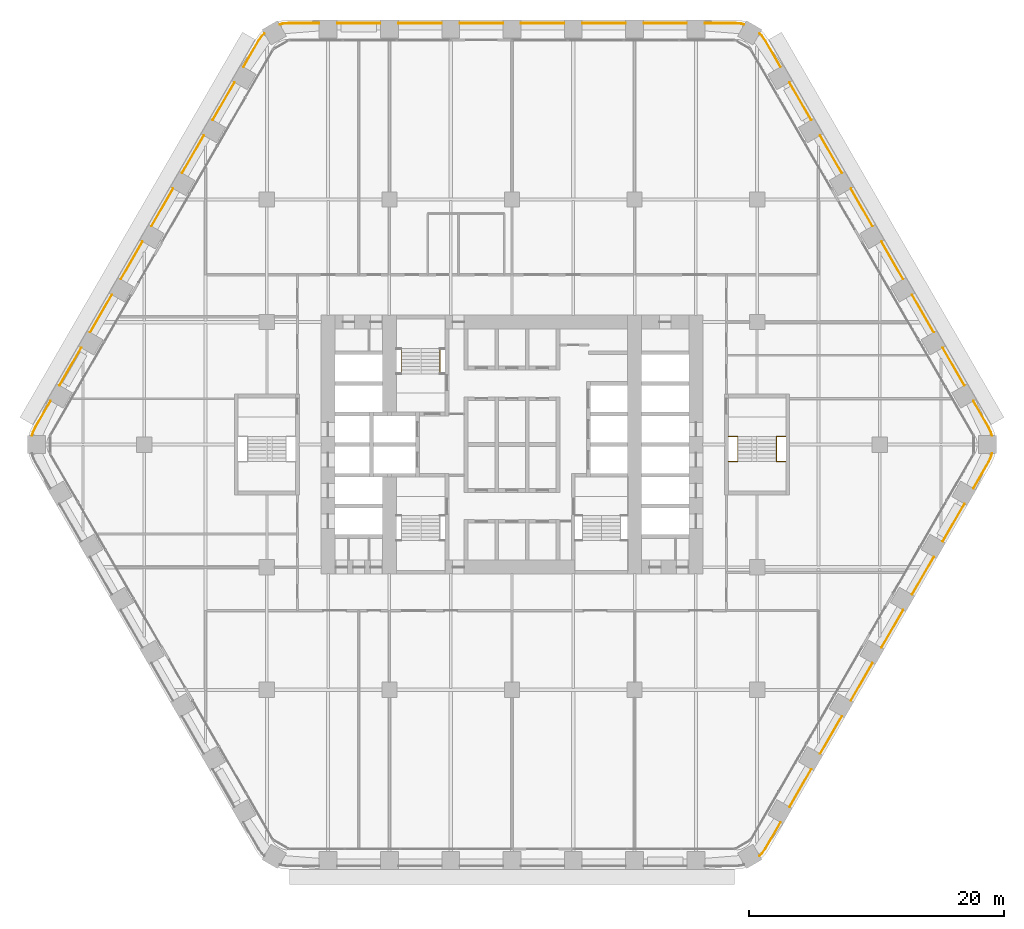
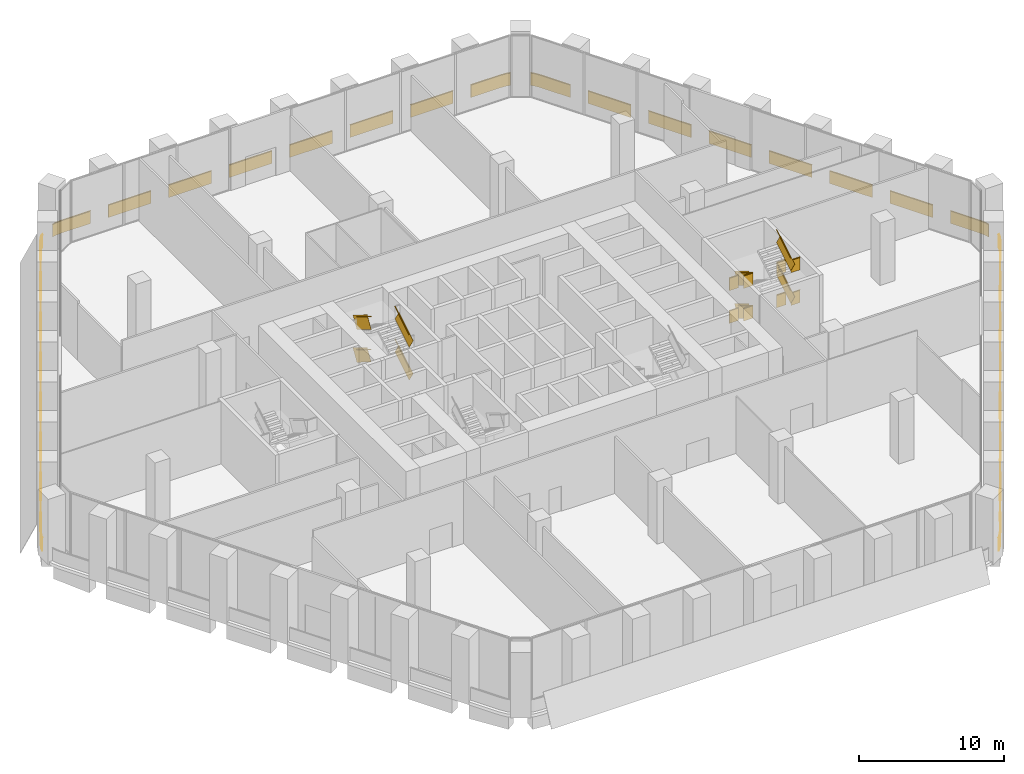
# One storey, part 27 of 27: 7 railings.
"""IFC4 building model written with IfcOpenShell, lengths in metres."""

from ifc_helpers import new_model, si_unit, direction, frame, frame_2d, origin, origin_2d, place, context, subcontext, project, spatial, rectangle, extrude, material, type_object, element, save


model = new_model("IFC4")

# Units and contexts
model_context = context("Model", 3, precision=1e-05, world=origin(), true_north=direction((0.0, 1.0)))
body_context = subcontext(model_context, "Body", "Model", "MODEL_VIEW")
ifc_project = project(units=[si_unit("LENGTHUNIT", "METRE"), si_unit("AREAUNIT", "SQUARE_METRE"), si_unit("VOLUMEUNIT", "CUBIC_METRE"), si_unit("PLANEANGLEUNIT", "RADIAN"), si_unit("MASSUNIT", "GRAM", prefix="KILO")], contexts=[model_context])

# Site, building, storey
site_placement = place(None, origin())
site = spatial("IfcSite", under=ifc_project, at=site_placement, CompositionType="ELEMENT")
building_placement = place(site_placement, origin())
building = spatial("IfcBuilding", under=site, at=building_placement, Name="Kolab Exchange Tower", CompositionType="ELEMENT")
storey_placement = place(building_placement, frame((0.0, 0.0, 44.39990234375)))
storey = spatial("IfcBuildingStorey", under=building, at=storey_placement, Name="L08", CompositionType="ELEMENT", Elevation=44.39990234375)

# Railings
ifc_material_1 = material(Name="Stainless steel 316", Category="steel")
railing_type_1 = type_object("IfcRailingType", Name="GUARD 1100", PredefinedType="GUARDRAIL", material=ifc_material_1)
railing_1_placement = place(storey_placement, frame((-5.639892578125, 5.550048828125, 0.172119140625)))
element("IfcRailing", 1, at=railing_1_placement, inside=storey, type_object=railing_type_1, Name="Handrail guard ST1", PredefinedType="GUARDRAIL", context=body_context, shape_type="SweptSolid", body=[
    extrude(rectangle(XDim=0.05, YDim=0.05, at=origin_2d()), frame((0.0, 0.0, 1.0751953125), z_axis=(0.0, 0.852288308005, 0.523072308613), x_axis=(-1.0, 0.0, 0.0)), (0.0, 0.0, 1.0), 2.299560546875),
    extrude(rectangle(XDim=0.012, YDim=1.05009765625, at=frame_2d((0.0, 0.525146484375))), frame((0.0, 0.0, 0.0), z_axis=(0.0, 0.852288308005, 0.523072308613), x_axis=(-1.0, 0.0, 0.0)), (0.0, 0.0, 1.0), 2.299560546875),
    extrude(rectangle(XDim=0.05, YDim=0.05, at=origin_2d()), frame((-3.02001953125, 1.9599609375, 2.4501953125), z_axis=(0.0, -0.852288308005, 0.523072308613), x_axis=(1.0, 0.0, 0.0)), (0.0, 0.0, 1.0), 2.299560546875),
    extrude(rectangle(XDim=0.012, YDim=1.05009765625, at=frame_2d((0.0, 0.525146484375))), frame((-3.02001953125, 1.9599609375, 1.375), z_axis=(0.0, -0.852288308005, 0.523072308613), x_axis=(1.0, 0.0, 0.0)), (0.0, 0.0, 1.0), 2.299560546875),
    extrude(rectangle(XDim=0.05, YDim=0.05, at=origin_2d()), frame((0.0, 0.0, 3.8251953125), z_axis=(0.0, 0.852288308005, 0.523072308613), x_axis=(-1.0, 0.0, 0.0)), (0.0, 0.0, 1.0), 2.299560546875),
    extrude(rectangle(XDim=0.012, YDim=1.05009765625, at=frame_2d((0.0, 0.525146484375))), frame((0.0, 0.0, 2.75), z_axis=(0.0, 0.852288308005, 0.523072308613), x_axis=(-1.0, 0.0, 0.0)), (0.0, 0.0, 1.0), 2.299560546875),
    extrude(rectangle(XDim=0.05, YDim=0.05, at=origin_2d()), frame((-3.02001953125, 1.9599609375, 5.2001953125), z_axis=(0.0, -0.852288308005, 0.523072308613), x_axis=(1.0, 0.0, 0.0)), (0.0, 0.0, 1.0), 2.299560546875),
    extrude(rectangle(XDim=0.012, YDim=1.05009765625, at=frame_2d((0.0, 0.525146484375))), frame((-3.02001953125, 1.9599609375, 4.125), z_axis=(0.0, -0.852288308005, 0.523072308613), x_axis=(1.0, 0.0, 0.0)), (0.0, 0.0, 1.0), 2.299560546875),
])
railing_2_placement = place(storey_placement, frame((16.949951171875, 0.64990234375, 0.0)))
element("IfcRailing", 2, at=railing_2_placement, inside=storey, type_object=railing_type_1, Name="Guard ST4", PredefinedType="GUARDRAIL", context=body_context, shape_type="SweptSolid", body=[
    extrude(rectangle(XDim=0.05, YDim=0.05, at=origin_2d()), frame((0.0, 0.0, 1.0751953125), z_axis=(1.0, 0.0, 0.0), x_axis=(0.0, 1.0, 0.0)), (0.0, 0.0, 1.0), 0.739990234375),
    extrude(rectangle(XDim=0.012, YDim=1.05009765625, at=frame_2d((0.0, 0.525146484375))), frame((0.0, 0.0, 0.0), z_axis=(1.0, 0.0, 0.0), x_axis=(0.0, 1.0, 0.0)), (0.0, 0.0, 1.0), 0.739990234375),
    extrude(rectangle(XDim=0.05, YDim=0.05, at=origin_2d()), frame((3.760009765625, 0.0, 1.0751953125), z_axis=(1.0, 0.0, 0.0), x_axis=(0.0, 1.0, 0.0)), (0.0, 0.0, 1.0), 0.739990234375),
    extrude(rectangle(XDim=0.012, YDim=1.05009765625, at=frame_2d((0.0, 0.525146484375))), frame((3.760009765625, 0.0, 0.0), z_axis=(1.0, 0.0, 0.0), x_axis=(0.0, 1.0, 0.0)), (0.0, 0.0, 1.0), 0.739990234375),
    extrude(rectangle(XDim=0.05, YDim=0.05, at=origin_2d()), frame((0.0, -1.9599609375, 2.4501953125), z_axis=(1.0, 0.0, 0.0), x_axis=(0.0, 1.0, 0.0)), (0.0, 0.0, 1.0), 0.739990234375),
    extrude(rectangle(XDim=0.012, YDim=1.05009765625, at=frame_2d((0.0, 0.525146484375))), frame((0.0, -1.9599609375, 1.375), z_axis=(1.0, 0.0, 0.0), x_axis=(0.0, 1.0, 0.0)), (0.0, 0.0, 1.0), 0.739990234375),
    extrude(rectangle(XDim=0.05, YDim=0.05, at=origin_2d()), frame((3.760009765625, -1.9599609375, 2.4501953125), z_axis=(1.0, 0.0, 0.0), x_axis=(0.0, 1.0, 0.0)), (0.0, 0.0, 1.0), 0.739990234375),
    extrude(rectangle(XDim=0.012, YDim=1.05009765625, at=frame_2d((0.0, 0.525146484375))), frame((3.760009765625, -1.9599609375, 1.375), z_axis=(1.0, 0.0, 0.0), x_axis=(0.0, 1.0, 0.0)), (0.0, 0.0, 1.0), 0.739990234375),
    extrude(rectangle(XDim=0.05, YDim=0.05, at=origin_2d()), frame((0.0, 0.0, 3.8251953125), z_axis=(1.0, 0.0, 0.0), x_axis=(0.0, 1.0, 0.0)), (0.0, 0.0, 1.0), 0.739990234375),
    extrude(rectangle(XDim=0.012, YDim=1.05009765625, at=frame_2d((0.0, 0.525146484375))), frame((0.0, 0.0, 2.75), z_axis=(1.0, 0.0, 0.0), x_axis=(0.0, 1.0, 0.0)), (0.0, 0.0, 1.0), 0.739990234375),
    extrude(rectangle(XDim=0.05, YDim=0.05, at=origin_2d()), frame((3.760009765625, 0.0, 3.8251953125), z_axis=(1.0, 0.0, 0.0), x_axis=(0.0, 1.0, 0.0)), (0.0, 0.0, 1.0), 0.739990234375),
    extrude(rectangle(XDim=0.012, YDim=1.05009765625, at=frame_2d((0.0, 0.525146484375))), frame((3.760009765625, 0.0, 2.75), z_axis=(1.0, 0.0, 0.0), x_axis=(0.0, 1.0, 0.0)), (0.0, 0.0, 1.0), 0.739990234375),
    extrude(rectangle(XDim=0.05, YDim=0.05, at=origin_2d()), frame((0.0, -1.9599609375, 5.2001953125), z_axis=(1.0, 0.0, 0.0), x_axis=(0.0, 1.0, 0.0)), (0.0, 0.0, 1.0), 0.739990234375),
    extrude(rectangle(XDim=0.012, YDim=1.05009765625, at=frame_2d((0.0, 0.525146484375))), frame((0.0, -1.9599609375, 4.125), z_axis=(1.0, 0.0, 0.0), x_axis=(0.0, 1.0, 0.0)), (0.0, 0.0, 1.0), 0.739990234375),
    extrude(rectangle(XDim=0.05, YDim=0.05, at=origin_2d()), frame((3.760009765625, -1.9599609375, 5.2001953125), z_axis=(1.0, 0.0, 0.0), x_axis=(0.0, 1.0, 0.0)), (0.0, 0.0, 1.0), 0.739990234375),
    extrude(rectangle(XDim=0.012, YDim=1.05009765625, at=frame_2d((0.0, 0.525146484375))), frame((3.760009765625, -1.9599609375, 4.125), z_axis=(1.0, 0.0, 0.0), x_axis=(0.0, 1.0, 0.0)), (0.0, 0.0, 1.0), 0.739990234375),
])
railing_3_placement = place(storey_placement, frame((17.68994140625, 0.64990234375, 0.172119140625)))
element("IfcRailing", 3, at=railing_3_placement, inside=storey, type_object=railing_type_1, Name="Handrail guard ST4", PredefinedType="GUARDRAIL", context=body_context, shape_type="SweptSolid", body=[
    extrude(rectangle(XDim=0.05, YDim=0.05, at=origin_2d()), frame((0.0, 0.0, 1.0751953125), z_axis=(0.0, -0.852288308005, 0.523072308613), x_axis=(1.0, 0.0, 0.0)), (0.0, 0.0, 1.0), 2.299560546875),
    extrude(rectangle(XDim=0.012, YDim=1.05009765625, at=frame_2d((0.0, 0.525146484375))), frame((0.0, 0.0, 0.0), z_axis=(0.0, -0.852288308005, 0.523072308613), x_axis=(1.0, 0.0, 0.0)), (0.0, 0.0, 1.0), 2.299560546875),
    extrude(rectangle(XDim=0.05, YDim=0.05, at=origin_2d()), frame((3.02001953125, -1.9599609375, 2.4501953125), z_axis=(0.0, 0.852288308005, 0.523072308613), x_axis=(-1.0, 0.0, 0.0)), (0.0, 0.0, 1.0), 2.299560546875),
    extrude(rectangle(XDim=0.012, YDim=1.05009765625, at=frame_2d((0.0, 0.525146484375))), frame((3.02001953125, -1.9599609375, 1.375), z_axis=(0.0, 0.852288308005, 0.523072308613), x_axis=(-1.0, 0.0, 0.0)), (0.0, 0.0, 1.0), 2.299560546875),
    extrude(rectangle(XDim=0.05, YDim=0.05, at=origin_2d()), frame((0.0, 0.0, 3.8251953125), z_axis=(0.0, -0.852288308005, 0.523072308613), x_axis=(1.0, 0.0, 0.0)), (0.0, 0.0, 1.0), 2.299560546875),
    extrude(rectangle(XDim=0.012, YDim=1.05009765625, at=frame_2d((0.0, 0.525146484375))), frame((0.0, 0.0, 2.75), z_axis=(0.0, -0.852288308005, 0.523072308613), x_axis=(1.0, 0.0, 0.0)), (0.0, 0.0, 1.0), 2.299560546875),
    extrude(rectangle(XDim=0.05, YDim=0.05, at=origin_2d()), frame((3.02001953125, -1.9599609375, 5.2001953125), z_axis=(0.0, 0.852288308005, 0.523072308613), x_axis=(-1.0, 0.0, 0.0)), (0.0, 0.0, 1.0), 2.299560546875),
    extrude(rectangle(XDim=0.012, YDim=1.05009765625, at=frame_2d((0.0, 0.525146484375))), frame((3.02001953125, -1.9599609375, 4.125), z_axis=(0.0, 0.852288308005, 0.523072308613), x_axis=(-1.0, 0.0, 0.0)), (0.0, 0.0, 1.0), 2.299560546875),
])
ifc_material_2 = material(Name="Steel S235", Category="steel")
railing_type_2 = type_object("IfcRailingType", Name="GUARD 1100 GLASS BALUSTRADE AND STEEL TOP RAIL", PredefinedType="GUARDRAIL", material=ifc_material_2)
railing_4_placement = place(storey_placement, frame((18.1953125, 32.896728515625, 0.0)))
element("IfcRailing", 4, at=railing_4_placement, inside=storey, type_object=railing_type_2, Name="Guard", PredefinedType="GUARDRAIL", context=body_context, shape_type="SweptSolid", body=[
    extrude(rectangle(XDim=0.05, YDim=0.05, at=origin_2d()), frame((0.0, 0.0, 1.0751953125), z_axis=(-0.965952265455, 0.258720352624, 0.0), x_axis=(-0.258720352624, -0.965952265455, 0.0)), (0.0, 0.0, 1.0), 0.258544921875),
    extrude(rectangle(XDim=0.012, YDim=1.05009765625, at=frame_2d((0.0, 0.525146484375))), frame((0.0, 0.0, 0.0), z_axis=(-0.965952265455, 0.258720352624, 0.0), x_axis=(-0.258720352624, -0.965952265455, 0.0)), (0.0, 0.0, 1.0), 0.258544921875),
    extrude(rectangle(XDim=0.05, YDim=0.05, at=origin_2d()), frame((-0.249755859375, 0.06689453125, 1.0751953125), z_axis=(-0.996200348447, 0.087091134757, 0.0), x_axis=(-0.087091134757, -0.996200348447, 0.0)), (0.0, 0.0, 1.0), 0.479248046875),
    extrude(rectangle(XDim=0.012, YDim=1.05009765625, at=frame_2d((0.0, 0.525146484375))), frame((-0.249755859375, 0.06689453125, 0.0), z_axis=(-0.996200348447, 0.087091134757, 0.0), x_axis=(-0.087091134757, -0.996200348447, 0.0)), (0.0, 0.0, 1.0), 0.479248046875),
    extrude(rectangle(XDim=0.05, YDim=0.05, at=origin_2d()), frame((-0.727294921875, 0.108642578125, 1.0751953125), z_axis=(-1.0, 0.0, 0.0), x_axis=(0.0, -1.0, 0.0)), (0.0, 0.0, 1.0), 2.367919921875),
    extrude(rectangle(XDim=0.012, YDim=1.05009765625, at=frame_2d((0.0, 0.525146484375))), frame((-0.727294921875, 0.108642578125, 0.0), z_axis=(-1.0, 0.0, 0.0), x_axis=(0.0, -1.0, 0.0)), (0.0, 0.0, 1.0), 2.367919921875),
    extrude(rectangle(XDim=0.05, YDim=0.05, at=origin_2d()), frame((-4.495361328125, 0.108642578125, 1.0751953125), z_axis=(-1.0, 0.0, 0.0), x_axis=(0.0, -1.0, 0.0)), (0.0, 0.0, 1.0), 3.39990234375),
    extrude(rectangle(XDim=0.012, YDim=1.05009765625, at=frame_2d((0.0, 0.525146484375))), frame((-4.495361328125, 0.108642578125, 0.0), z_axis=(-1.0, 0.0, 0.0), x_axis=(0.0, -1.0, 0.0)), (0.0, 0.0, 1.0), 3.39990234375),
    extrude(rectangle(XDim=0.05, YDim=0.05, at=origin_2d()), frame((-9.29541015625, 0.108642578125, 1.0751953125), z_axis=(-1.0, 0.0, 0.0), x_axis=(0.0, -1.0, 0.0)), (0.0, 0.0, 1.0), 3.39990234375),
    extrude(rectangle(XDim=0.012, YDim=1.05009765625, at=frame_2d((0.0, 0.525146484375))), frame((-9.29541015625, 0.108642578125, 0.0), z_axis=(-1.0, 0.0, 0.0), x_axis=(0.0, -1.0, 0.0)), (0.0, 0.0, 1.0), 3.39990234375),
    extrude(rectangle(XDim=0.05, YDim=0.05, at=origin_2d()), frame((-14.09521484375, 0.108642578125, 1.0751953125), z_axis=(-1.0, 0.0, 0.0), x_axis=(0.0, -1.0, 0.0)), (0.0, 0.0, 1.0), 3.400146484375),
    extrude(rectangle(XDim=0.012, YDim=1.05009765625, at=frame_2d((0.0, 0.525146484375))), frame((-14.09521484375, 0.108642578125, 0.0), z_axis=(-1.0, 0.0, 0.0), x_axis=(0.0, -1.0, 0.0)), (0.0, 0.0, 1.0), 3.400146484375),
    extrude(rectangle(XDim=0.05, YDim=0.05, at=origin_2d()), frame((-18.895263671875, 0.108642578125, 1.0751953125), z_axis=(-1.0, 0.0, 0.0), x_axis=(0.0, -1.0, 0.0)), (0.0, 0.0, 1.0), 3.400146484375),
    extrude(rectangle(XDim=0.012, YDim=1.05009765625, at=frame_2d((0.0, 0.525146484375))), frame((-18.895263671875, 0.108642578125, 0.0), z_axis=(-1.0, 0.0, 0.0), x_axis=(0.0, -1.0, 0.0)), (0.0, 0.0, 1.0), 3.400146484375),
    extrude(rectangle(XDim=0.05, YDim=0.05, at=origin_2d()), frame((-23.6953125, 0.108642578125, 1.0751953125), z_axis=(-1.0, 0.0, 0.0), x_axis=(0.0, -1.0, 0.0)), (0.0, 0.0, 1.0), 3.39990234375),
    extrude(rectangle(XDim=0.012, YDim=1.05009765625, at=frame_2d((0.0, 0.525146484375))), frame((-23.6953125, 0.108642578125, 0.0), z_axis=(-1.0, 0.0, 0.0), x_axis=(0.0, -1.0, 0.0)), (0.0, 0.0, 1.0), 3.39990234375),
    extrude(rectangle(XDim=0.05, YDim=0.05, at=origin_2d()), frame((-28.495361328125, 0.108642578125, 1.0751953125), z_axis=(-1.0, 0.0, 0.0), x_axis=(0.0, -1.0, 0.0)), (0.0, 0.0, 1.0), 3.39990234375),
    extrude(rectangle(XDim=0.012, YDim=1.05009765625, at=frame_2d((0.0, 0.525146484375))), frame((-28.495361328125, 0.108642578125, 0.0), z_axis=(-1.0, 0.0, 0.0), x_axis=(0.0, -1.0, 0.0)), (0.0, 0.0, 1.0), 3.39990234375),
    extrude(rectangle(XDim=0.05, YDim=0.05, at=origin_2d()), frame((-33.29541015625, 0.108642578125, 1.0751953125), z_axis=(-1.0, 0.0, 0.0), x_axis=(0.0, -1.0, 0.0)), (0.0, 0.0, 1.0), 2.367919921875),
    extrude(rectangle(XDim=0.012, YDim=1.05009765625, at=frame_2d((0.0, 0.525146484375))), frame((-33.29541015625, 0.108642578125, 0.0), z_axis=(-1.0, 0.0, 0.0), x_axis=(0.0, -1.0, 0.0)), (0.0, 0.0, 1.0), 2.367919921875),
    extrude(rectangle(XDim=0.05, YDim=0.05, at=origin_2d()), frame((-35.663330078125, 0.108642578125, 1.0751953125), z_axis=(-0.996200348447, -0.087091134757, 0.0), x_axis=(0.087091134757, -0.996200348447, 0.0)), (0.0, 0.0, 1.0), 0.479248046875),
    extrude(rectangle(XDim=0.012, YDim=1.05009765625, at=frame_2d((0.0, 0.525146484375))), frame((-35.663330078125, 0.108642578125, 0.0), z_axis=(-0.996200348447, -0.087091134757, 0.0), x_axis=(0.087091134757, -0.996200348447, 0.0)), (0.0, 0.0, 1.0), 0.479248046875),
    extrude(rectangle(XDim=0.05, YDim=0.05, at=origin_2d()), frame((-36.140869140625, 0.06689453125, 1.0751953125), z_axis=(-0.965952265455, -0.258720352624, 0.0), x_axis=(0.258720352624, -0.965952265455, 0.0)), (0.0, 0.0, 1.0), 0.258544921875),
    extrude(rectangle(XDim=0.012, YDim=1.05009765625, at=frame_2d((0.0, 0.525146484375))), frame((-36.140869140625, 0.06689453125, 0.0), z_axis=(-0.965952265455, -0.258720352624, 0.0), x_axis=(0.258720352624, -0.965952265455, 0.0)), (0.0, 0.0, 1.0), 0.258544921875),
])
railing_5_placement = place(storey_placement, frame((37.5869140625, 0.690673828125, 0.0)))
element("IfcRailing", 5, at=railing_5_placement, inside=storey, type_object=railing_type_2, Name="Guard", PredefinedType="GUARDRAIL", context=body_context, shape_type="SweptSolid", body=[
    extrude(rectangle(XDim=0.05, YDim=0.05, at=origin_2d()), frame((0.0, 0.0, 1.0751953125), z_axis=(-0.258484584798, 0.966015382601, 0.0), x_axis=(-0.966015382601, -0.258484584798, 0.0)), (0.0, 0.0, 1.0), 0.2587890625),
    extrude(rectangle(XDim=0.012, YDim=1.05009765625, at=frame_2d((0.0, 0.525146484375))), frame((0.0, 0.0, 0.0), z_axis=(-0.258484584798, 0.966015382601, 0.0), x_axis=(-0.966015382601, -0.258484584798, 0.0)), (0.0, 0.0, 1.0), 0.2587890625),
    extrude(rectangle(XDim=0.05, YDim=0.05, at=origin_2d()), frame((-0.06689453125, 0.25, 1.0751953125), z_axis=(-0.422801802984, 0.906222177721, 0.0), x_axis=(-0.906222177721, -0.422801802984, 0.0)), (0.0, 0.0, 1.0), 0.479248046875),
    extrude(rectangle(XDim=0.012, YDim=1.05009765625, at=frame_2d((0.0, 0.525146484375))), frame((-0.06689453125, 0.25, 0.0), z_axis=(-0.422801802984, 0.906222177721, 0.0), x_axis=(-0.906222177721, -0.422801802984, 0.0)), (0.0, 0.0, 1.0), 0.479248046875),
    extrude(rectangle(XDim=0.05, YDim=0.05, at=origin_2d()), frame((-0.26953125, 0.684326171875, 1.0751953125), z_axis=(-0.499942602326, 0.866058539811, 0.0), x_axis=(-0.866058539811, -0.499942602326, 0.0)), (0.0, 0.0, 1.0), 2.367919921875),
    extrude(rectangle(XDim=0.012, YDim=1.05009765625, at=frame_2d((0.0, 0.525146484375))), frame((-0.26953125, 0.684326171875, 0.0), z_axis=(-0.499942602326, 0.866058539811, 0.0), x_axis=(-0.866058539811, -0.499942602326, 0.0)), (0.0, 0.0, 1.0), 2.367919921875),
    extrude(rectangle(XDim=0.05, YDim=0.05, at=origin_2d()), frame((-2.1533203125, 3.947509765625, 1.0751953125), z_axis=(-0.500062241894, 0.865989465428, 0.0), x_axis=(-0.865989465428, -0.500062241894, 0.0)), (0.0, 0.0, 1.0), 3.39990234375),
    extrude(rectangle(XDim=0.012, YDim=1.05009765625, at=frame_2d((0.0, 0.525146484375))), frame((-2.1533203125, 3.947509765625, 0.0), z_axis=(-0.500062241894, 0.865989465428, 0.0), x_axis=(-0.865989465428, -0.500062241894, 0.0)), (0.0, 0.0, 1.0), 3.39990234375),
    extrude(rectangle(XDim=0.05, YDim=0.05, at=origin_2d()), frame((-4.553466796875, 8.1044921875, 1.0751953125), z_axis=(-0.500008388397, 0.866020560687, 0.0), x_axis=(-0.866020560687, -0.500008388397, 0.0)), (0.0, 0.0, 1.0), 3.39990234375),
    extrude(rectangle(XDim=0.012, YDim=1.05009765625, at=frame_2d((0.0, 0.525146484375))), frame((-4.553466796875, 8.1044921875, 0.0), z_axis=(-0.500008388397, 0.866020560687, 0.0), x_axis=(-0.866020560687, -0.500008388397, 0.0)), (0.0, 0.0, 1.0), 3.39990234375),
    extrude(rectangle(XDim=0.05, YDim=0.05, at=origin_2d()), frame((-6.953369140625, 12.26123046875, 1.0751953125), z_axis=(-0.499977295307, 0.866038511948, 0.0), x_axis=(-0.866038511948, -0.499977295307, 0.0)), (0.0, 0.0, 1.0), 3.400146484375),
    extrude(rectangle(XDim=0.012, YDim=1.05009765625, at=frame_2d((0.0, 0.525146484375))), frame((-6.953369140625, 12.26123046875, 0.0), z_axis=(-0.499977295307, 0.866038511948, 0.0), x_axis=(-0.866038511948, -0.499977295307, 0.0)), (0.0, 0.0, 1.0), 3.400146484375),
    extrude(rectangle(XDim=0.05, YDim=0.05, at=origin_2d()), frame((-9.353515625, 16.418212890625, 1.0751953125), z_axis=(-0.499977295307, 0.866038511948, 0.0), x_axis=(-0.866038511948, -0.499977295307, 0.0)), (0.0, 0.0, 1.0), 3.400146484375),
    extrude(rectangle(XDim=0.012, YDim=1.05009765625, at=frame_2d((0.0, 0.525146484375))), frame((-9.353515625, 16.418212890625, 0.0), z_axis=(-0.499977295307, 0.866038511948, 0.0), x_axis=(-0.866038511948, -0.499977295307, 0.0)), (0.0, 0.0, 1.0), 3.400146484375),
    extrude(rectangle(XDim=0.05, YDim=0.05, at=origin_2d()), frame((-11.75341796875, 20.5751953125, 1.0751953125), z_axis=(-0.500008388397, 0.866020560687, 0.0), x_axis=(-0.866020560687, -0.500008388397, 0.0)), (0.0, 0.0, 1.0), 3.39990234375),
    extrude(rectangle(XDim=0.012, YDim=1.05009765625, at=frame_2d((0.0, 0.525146484375))), frame((-11.75341796875, 20.5751953125, 0.0), z_axis=(-0.500008388397, 0.866020560687, 0.0), x_axis=(-0.866020560687, -0.500008388397, 0.0)), (0.0, 0.0, 1.0), 3.39990234375),
    extrude(rectangle(XDim=0.05, YDim=0.05, at=origin_2d()), frame((-14.1533203125, 24.732177734375, 1.0751953125), z_axis=(-0.500062241894, 0.865989465428, 0.0), x_axis=(-0.865989465428, -0.500062241894, 0.0)), (0.0, 0.0, 1.0), 3.39990234375),
    extrude(rectangle(XDim=0.012, YDim=1.05009765625, at=frame_2d((0.0, 0.525146484375))), frame((-14.1533203125, 24.732177734375, 0.0), z_axis=(-0.500062241894, 0.865989465428, 0.0), x_axis=(-0.865989465428, -0.500062241894, 0.0)), (0.0, 0.0, 1.0), 3.39990234375),
    extrude(rectangle(XDim=0.05, YDim=0.05, at=origin_2d()), frame((-16.553466796875, 28.888916015625, 1.0751953125), z_axis=(-0.499942602326, 0.866058539811, 0.0), x_axis=(-0.866058539811, -0.499942602326, 0.0)), (0.0, 0.0, 1.0), 2.367919921875),
    extrude(rectangle(XDim=0.012, YDim=1.05009765625, at=frame_2d((0.0, 0.525146484375))), frame((-16.553466796875, 28.888916015625, 0.0), z_axis=(-0.499942602326, 0.866058539811, 0.0), x_axis=(-0.866058539811, -0.499942602326, 0.0)), (0.0, 0.0, 1.0), 2.367919921875),
    extrude(rectangle(XDim=0.05, YDim=0.05, at=origin_2d()), frame((-17.7373046875, 30.939697265625, 1.0751953125), z_axis=(-0.573940749815, 0.818896828485, 0.0), x_axis=(-0.818896828485, -0.573940749815, 0.0)), (0.0, 0.0, 1.0), 0.4794921875),
    extrude(rectangle(XDim=0.012, YDim=1.05009765625, at=frame_2d((0.0, 0.525146484375))), frame((-17.7373046875, 30.939697265625, 0.0), z_axis=(-0.573940749815, 0.818896828485, 0.0), x_axis=(-0.818896828485, -0.573940749815, 0.0)), (0.0, 0.0, 1.0), 0.4794921875),
    extrude(rectangle(XDim=0.05, YDim=0.05, at=origin_2d()), frame((-18.012451171875, 31.332275390625, 1.0751953125), z_axis=(-0.706634904947, 0.707578342737, 0.0), x_axis=(-0.707578342737, -0.706634904947, 0.0)), (0.0, 0.0, 1.0), 0.2587890625),
    extrude(rectangle(XDim=0.012, YDim=1.05009765625, at=frame_2d((0.0, 0.525146484375))), frame((-18.012451171875, 31.332275390625, 0.0), z_axis=(-0.706634904947, 0.707578342737, 0.0), x_axis=(-0.707578342737, -0.706634904947, 0.0)), (0.0, 0.0, 1.0), 0.2587890625),
])
railing_6_placement = place(storey_placement, frame((19.3916015625, -32.2060546875, 0.0)))
element("IfcRailing", 6, at=railing_6_placement, inside=storey, type_object=railing_type_2, Name="Guard", PredefinedType="GUARDRAIL", context=body_context, shape_type="SweptSolid", body=[
    extrude(rectangle(XDim=0.05, YDim=0.05, at=origin_2d()), frame((0.0, 0.0, 1.0751953125), z_axis=(0.706634904947, 0.707578342737, 0.0), x_axis=(-0.707578342737, 0.706634904947, 0.0)), (0.0, 0.0, 1.0), 0.2587890625),
    extrude(rectangle(XDim=0.012, YDim=1.05009765625, at=frame_2d((0.0, 0.525146484375))), frame((0.0, 0.0, 0.0), z_axis=(0.706634904947, 0.707578342737, 0.0), x_axis=(-0.707578342737, 0.706634904947, 0.0)), (0.0, 0.0, 1.0), 0.2587890625),
    extrude(rectangle(XDim=0.05, YDim=0.05, at=origin_2d()), frame((0.182861328125, 0.18310546875, 1.0751953125), z_axis=(0.573940749815, 0.818896828485, 0.0), x_axis=(-0.818896828485, 0.573940749815, 0.0)), (0.0, 0.0, 1.0), 0.4794921875),
    extrude(rectangle(XDim=0.012, YDim=1.05009765625, at=frame_2d((0.0, 0.525146484375))), frame((0.182861328125, 0.18310546875, 0.0), z_axis=(0.573940749815, 0.818896828485, 0.0), x_axis=(-0.818896828485, 0.573940749815, 0.0)), (0.0, 0.0, 1.0), 0.4794921875),
    extrude(rectangle(XDim=0.05, YDim=0.05, at=origin_2d()), frame((0.4580078125, 0.57568359375, 1.0751953125), z_axis=(0.499942602326, 0.866058539811, 0.0), x_axis=(-0.866058539811, 0.499942602326, 0.0)), (0.0, 0.0, 1.0), 2.367919921875),
    extrude(rectangle(XDim=0.012, YDim=1.05009765625, at=frame_2d((0.0, 0.525146484375))), frame((0.4580078125, 0.57568359375, 0.0), z_axis=(0.499942602326, 0.866058539811, 0.0), x_axis=(-0.866058539811, 0.499942602326, 0.0)), (0.0, 0.0, 1.0), 2.367919921875),
    extrude(rectangle(XDim=0.05, YDim=0.05, at=origin_2d()), frame((2.341796875, 3.8388671875, 1.0751953125), z_axis=(0.500062241894, 0.865989465428, 0.0), x_axis=(-0.865989465428, 0.500062241894, 0.0)), (0.0, 0.0, 1.0), 3.39990234375),
    extrude(rectangle(XDim=0.012, YDim=1.05009765625, at=frame_2d((0.0, 0.525146484375))), frame((2.341796875, 3.8388671875, 0.0), z_axis=(0.500062241894, 0.865989465428, 0.0), x_axis=(-0.865989465428, 0.500062241894, 0.0)), (0.0, 0.0, 1.0), 3.39990234375),
    extrude(rectangle(XDim=0.05, YDim=0.05, at=origin_2d()), frame((4.741943359375, 7.995849609375, 1.0751953125), z_axis=(0.500008388397, 0.866020560687, 0.0), x_axis=(-0.866020560687, 0.500008388397, 0.0)), (0.0, 0.0, 1.0), 3.39990234375),
    extrude(rectangle(XDim=0.012, YDim=1.05009765625, at=frame_2d((0.0, 0.525146484375))), frame((4.741943359375, 7.995849609375, 0.0), z_axis=(0.500008388397, 0.866020560687, 0.0), x_axis=(-0.866020560687, 0.500008388397, 0.0)), (0.0, 0.0, 1.0), 3.39990234375),
    extrude(rectangle(XDim=0.05, YDim=0.05, at=origin_2d()), frame((7.141845703125, 12.152587890625, 1.0751953125), z_axis=(0.499977295307, 0.866038511948, 0.0), x_axis=(-0.866038511948, 0.499977295307, 0.0)), (0.0, 0.0, 1.0), 3.400146484375),
    extrude(rectangle(XDim=0.012, YDim=1.05009765625, at=frame_2d((0.0, 0.525146484375))), frame((7.141845703125, 12.152587890625, 0.0), z_axis=(0.499977295307, 0.866038511948, 0.0), x_axis=(-0.866038511948, 0.499977295307, 0.0)), (0.0, 0.0, 1.0), 3.400146484375),
    extrude(rectangle(XDim=0.05, YDim=0.05, at=origin_2d()), frame((9.5419921875, 16.3095703125, 1.0751953125), z_axis=(0.499977295307, 0.866038511948, 0.0), x_axis=(-0.866038511948, 0.499977295307, 0.0)), (0.0, 0.0, 1.0), 3.400146484375),
    extrude(rectangle(XDim=0.012, YDim=1.05009765625, at=frame_2d((0.0, 0.525146484375))), frame((9.5419921875, 16.3095703125, 0.0), z_axis=(0.499977295307, 0.866038511948, 0.0), x_axis=(-0.866038511948, 0.499977295307, 0.0)), (0.0, 0.0, 1.0), 3.400146484375),
    extrude(rectangle(XDim=0.05, YDim=0.05, at=origin_2d()), frame((11.94189453125, 20.466552734375, 1.0751953125), z_axis=(0.500008388397, 0.866020560687, 0.0), x_axis=(-0.866020560687, 0.500008388397, 0.0)), (0.0, 0.0, 1.0), 3.39990234375),
    extrude(rectangle(XDim=0.012, YDim=1.05009765625, at=frame_2d((0.0, 0.525146484375))), frame((11.94189453125, 20.466552734375, 0.0), z_axis=(0.500008388397, 0.866020560687, 0.0), x_axis=(-0.866020560687, 0.500008388397, 0.0)), (0.0, 0.0, 1.0), 3.39990234375),
    extrude(rectangle(XDim=0.05, YDim=0.05, at=origin_2d()), frame((14.341796875, 24.62353515625, 1.0751953125), z_axis=(0.500062241894, 0.865989465428, 0.0), x_axis=(-0.865989465428, 0.500062241894, 0.0)), (0.0, 0.0, 1.0), 3.39990234375),
    extrude(rectangle(XDim=0.012, YDim=1.05009765625, at=frame_2d((0.0, 0.525146484375))), frame((14.341796875, 24.62353515625, 0.0), z_axis=(0.500062241894, 0.865989465428, 0.0), x_axis=(-0.865989465428, 0.500062241894, 0.0)), (0.0, 0.0, 1.0), 3.39990234375),
    extrude(rectangle(XDim=0.05, YDim=0.05, at=origin_2d()), frame((16.741943359375, 28.7802734375, 1.0751953125), z_axis=(0.499942602326, 0.866058539811, 0.0), x_axis=(-0.866058539811, 0.499942602326, 0.0)), (0.0, 0.0, 1.0), 2.367919921875),
    extrude(rectangle(XDim=0.012, YDim=1.05009765625, at=frame_2d((0.0, 0.525146484375))), frame((16.741943359375, 28.7802734375, 0.0), z_axis=(0.499942602326, 0.866058539811, 0.0), x_axis=(-0.866058539811, 0.499942602326, 0.0)), (0.0, 0.0, 1.0), 2.367919921875),
    extrude(rectangle(XDim=0.05, YDim=0.05, at=origin_2d()), frame((17.92578125, 30.8310546875, 1.0751953125), z_axis=(0.422801802984, 0.906222177721, 0.0), x_axis=(-0.906222177721, 0.422801802984, 0.0)), (0.0, 0.0, 1.0), 0.479248046875),
    extrude(rectangle(XDim=0.012, YDim=1.05009765625, at=frame_2d((0.0, 0.525146484375))), frame((17.92578125, 30.8310546875, 0.0), z_axis=(0.422801802984, 0.906222177721, 0.0), x_axis=(-0.906222177721, 0.422801802984, 0.0)), (0.0, 0.0, 1.0), 0.479248046875),
    extrude(rectangle(XDim=0.05, YDim=0.05, at=origin_2d()), frame((18.12841796875, 31.265380859375, 1.0751953125), z_axis=(0.258484584798, 0.966015382601, 0.0), x_axis=(-0.966015382601, 0.258484584798, 0.0)), (0.0, 0.0, 1.0), 0.2587890625),
    extrude(rectangle(XDim=0.012, YDim=1.05009765625, at=frame_2d((0.0, 0.525146484375))), frame((18.12841796875, 31.265380859375, 0.0), z_axis=(0.258484584798, 0.966015382601, 0.0), x_axis=(-0.966015382601, 0.258484584798, 0.0)), (0.0, 0.0, 1.0), 0.2587890625),
])
railing_7_placement = place(storey_placement, frame((-19.3916015625, 32.2060546875, 0.0)))
element("IfcRailing", 7, at=railing_7_placement, inside=storey, type_object=railing_type_2, Name="Guard", PredefinedType="GUARDRAIL", context=body_context, shape_type="SweptSolid", body=[
    extrude(rectangle(XDim=0.05, YDim=0.05, at=origin_2d()), frame((0.0, 0.0, 1.0751953125), z_axis=(-0.706634904947, -0.707578342737, 0.0), x_axis=(0.707578342737, -0.706634904947, 0.0)), (0.0, 0.0, 1.0), 0.2587890625),
    extrude(rectangle(XDim=0.012, YDim=1.05009765625, at=frame_2d((0.0, 0.525146484375))), frame((0.0, 0.0, 0.0), z_axis=(-0.706634904947, -0.707578342737, 0.0), x_axis=(0.707578342737, -0.706634904947, 0.0)), (0.0, 0.0, 1.0), 0.2587890625),
    extrude(rectangle(XDim=0.05, YDim=0.05, at=origin_2d()), frame((-0.182861328125, -0.18310546875, 1.0751953125), z_axis=(-0.573940749815, -0.818896828485, 0.0), x_axis=(0.818896828485, -0.573940749815, 0.0)), (0.0, 0.0, 1.0), 0.4794921875),
    extrude(rectangle(XDim=0.012, YDim=1.05009765625, at=frame_2d((0.0, 0.525146484375))), frame((-0.182861328125, -0.18310546875, 0.0), z_axis=(-0.573940749815, -0.818896828485, 0.0), x_axis=(0.818896828485, -0.573940749815, 0.0)), (0.0, 0.0, 1.0), 0.4794921875),
    extrude(rectangle(XDim=0.05, YDim=0.05, at=origin_2d()), frame((-0.4580078125, -0.57568359375, 1.0751953125), z_axis=(-0.499942602326, -0.866058539811, 0.0), x_axis=(0.866058539811, -0.499942602326, 0.0)), (0.0, 0.0, 1.0), 2.367919921875),
    extrude(rectangle(XDim=0.012, YDim=1.05009765625, at=frame_2d((0.0, 0.525146484375))), frame((-0.4580078125, -0.57568359375, 0.0), z_axis=(-0.499942602326, -0.866058539811, 0.0), x_axis=(0.866058539811, -0.499942602326, 0.0)), (0.0, 0.0, 1.0), 2.367919921875),
    extrude(rectangle(XDim=0.05, YDim=0.05, at=origin_2d()), frame((-2.341796875, -3.8388671875, 1.0751953125), z_axis=(-0.500062241894, -0.865989465428, 0.0), x_axis=(0.865989465428, -0.500062241894, 0.0)), (0.0, 0.0, 1.0), 3.39990234375),
    extrude(rectangle(XDim=0.012, YDim=1.05009765625, at=frame_2d((0.0, 0.525146484375))), frame((-2.341796875, -3.8388671875, 0.0), z_axis=(-0.500062241894, -0.865989465428, 0.0), x_axis=(0.865989465428, -0.500062241894, 0.0)), (0.0, 0.0, 1.0), 3.39990234375),
    extrude(rectangle(XDim=0.05, YDim=0.05, at=origin_2d()), frame((-4.741943359375, -7.995849609375, 1.0751953125), z_axis=(-0.500008388397, -0.866020560687, 0.0), x_axis=(0.866020560687, -0.500008388397, 0.0)), (0.0, 0.0, 1.0), 3.39990234375),
    extrude(rectangle(XDim=0.012, YDim=1.05009765625, at=frame_2d((0.0, 0.525146484375))), frame((-4.741943359375, -7.995849609375, 0.0), z_axis=(-0.500008388397, -0.866020560687, 0.0), x_axis=(0.866020560687, -0.500008388397, 0.0)), (0.0, 0.0, 1.0), 3.39990234375),
    extrude(rectangle(XDim=0.05, YDim=0.05, at=origin_2d()), frame((-7.141845703125, -12.152587890625, 1.0751953125), z_axis=(-0.499977295307, -0.866038511948, 0.0), x_axis=(0.866038511948, -0.499977295307, 0.0)), (0.0, 0.0, 1.0), 3.400146484375),
    extrude(rectangle(XDim=0.012, YDim=1.05009765625, at=frame_2d((0.0, 0.525146484375))), frame((-7.141845703125, -12.152587890625, 0.0), z_axis=(-0.499977295307, -0.866038511948, 0.0), x_axis=(0.866038511948, -0.499977295307, 0.0)), (0.0, 0.0, 1.0), 3.400146484375),
    extrude(rectangle(XDim=0.05, YDim=0.05, at=origin_2d()), frame((-9.5419921875, -16.3095703125, 1.0751953125), z_axis=(-0.499977295307, -0.866038511948, 0.0), x_axis=(0.866038511948, -0.499977295307, 0.0)), (0.0, 0.0, 1.0), 3.400146484375),
    extrude(rectangle(XDim=0.012, YDim=1.05009765625, at=frame_2d((0.0, 0.525146484375))), frame((-9.5419921875, -16.3095703125, 0.0), z_axis=(-0.499977295307, -0.866038511948, 0.0), x_axis=(0.866038511948, -0.499977295307, 0.0)), (0.0, 0.0, 1.0), 3.400146484375),
    extrude(rectangle(XDim=0.05, YDim=0.05, at=origin_2d()), frame((-11.94189453125, -20.466552734375, 1.0751953125), z_axis=(-0.500008388397, -0.866020560687, 0.0), x_axis=(0.866020560687, -0.500008388397, 0.0)), (0.0, 0.0, 1.0), 3.39990234375),
    extrude(rectangle(XDim=0.012, YDim=1.05009765625, at=frame_2d((0.0, 0.525146484375))), frame((-11.94189453125, -20.466552734375, 0.0), z_axis=(-0.500008388397, -0.866020560687, 0.0), x_axis=(0.866020560687, -0.500008388397, 0.0)), (0.0, 0.0, 1.0), 3.39990234375),
    extrude(rectangle(XDim=0.05, YDim=0.05, at=origin_2d()), frame((-14.341796875, -24.62353515625, 1.0751953125), z_axis=(-0.500062241894, -0.865989465428, 0.0), x_axis=(0.865989465428, -0.500062241894, 0.0)), (0.0, 0.0, 1.0), 3.39990234375),
    extrude(rectangle(XDim=0.012, YDim=1.05009765625, at=frame_2d((0.0, 0.525146484375))), frame((-14.341796875, -24.62353515625, 0.0), z_axis=(-0.500062241894, -0.865989465428, 0.0), x_axis=(0.865989465428, -0.500062241894, 0.0)), (0.0, 0.0, 1.0), 3.39990234375),
    extrude(rectangle(XDim=0.05, YDim=0.05, at=origin_2d()), frame((-16.741943359375, -28.7802734375, 1.0751953125), z_axis=(-0.499942602326, -0.866058539811, 0.0), x_axis=(0.866058539811, -0.499942602326, 0.0)), (0.0, 0.0, 1.0), 2.367919921875),
    extrude(rectangle(XDim=0.012, YDim=1.05009765625, at=frame_2d((0.0, 0.525146484375))), frame((-16.741943359375, -28.7802734375, 0.0), z_axis=(-0.499942602326, -0.866058539811, 0.0), x_axis=(0.866058539811, -0.499942602326, 0.0)), (0.0, 0.0, 1.0), 2.367919921875),
    extrude(rectangle(XDim=0.05, YDim=0.05, at=origin_2d()), frame((-17.92578125, -30.8310546875, 1.0751953125), z_axis=(-0.422801802984, -0.906222177721, 0.0), x_axis=(0.906222177721, -0.422801802984, 0.0)), (0.0, 0.0, 1.0), 0.479248046875),
    extrude(rectangle(XDim=0.012, YDim=1.05009765625, at=frame_2d((0.0, 0.525146484375))), frame((-17.92578125, -30.8310546875, 0.0), z_axis=(-0.422801802984, -0.906222177721, 0.0), x_axis=(0.906222177721, -0.422801802984, 0.0)), (0.0, 0.0, 1.0), 0.479248046875),
    extrude(rectangle(XDim=0.05, YDim=0.05, at=origin_2d()), frame((-18.12841796875, -31.265380859375, 1.0751953125), z_axis=(-0.258484584798, -0.966015382601, 0.0), x_axis=(0.966015382601, -0.258484584798, 0.0)), (0.0, 0.0, 1.0), 0.2587890625),
    extrude(rectangle(XDim=0.012, YDim=1.05009765625, at=frame_2d((0.0, 0.525146484375))), frame((-18.12841796875, -31.265380859375, 0.0), z_axis=(-0.258484584798, -0.966015382601, 0.0), x_axis=(0.966015382601, -0.258484584798, 0.0)), (0.0, 0.0, 1.0), 0.2587890625),
])

save(model, "model.ifc")
